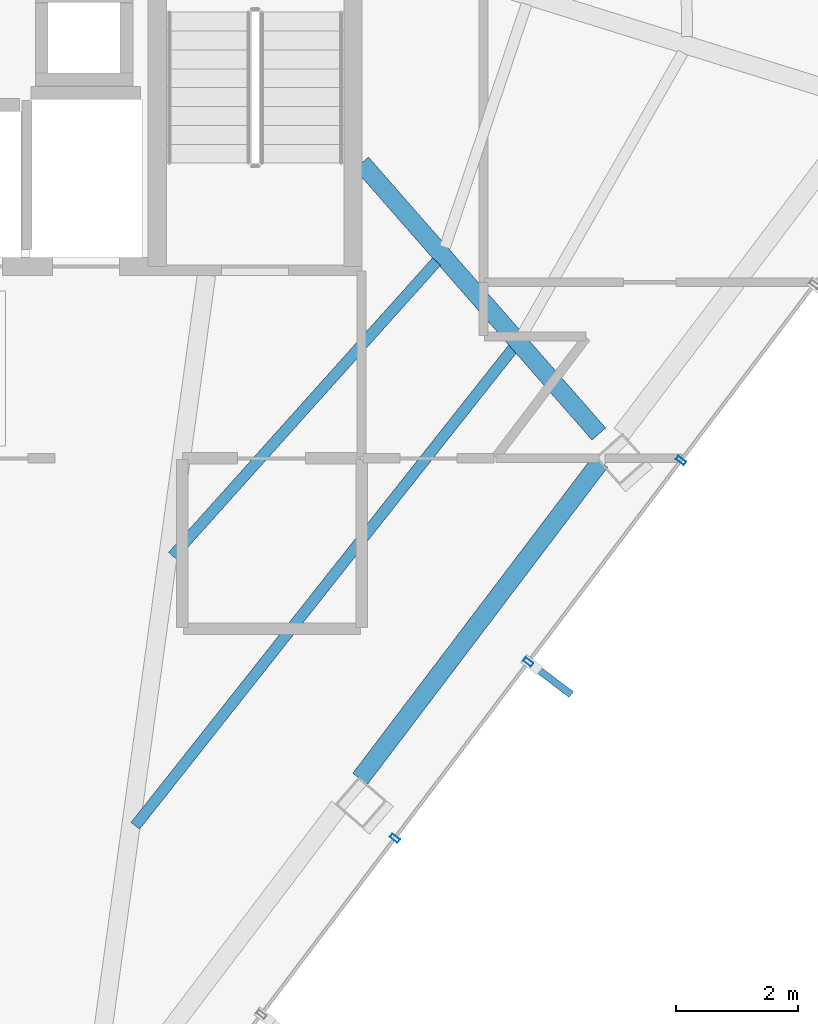
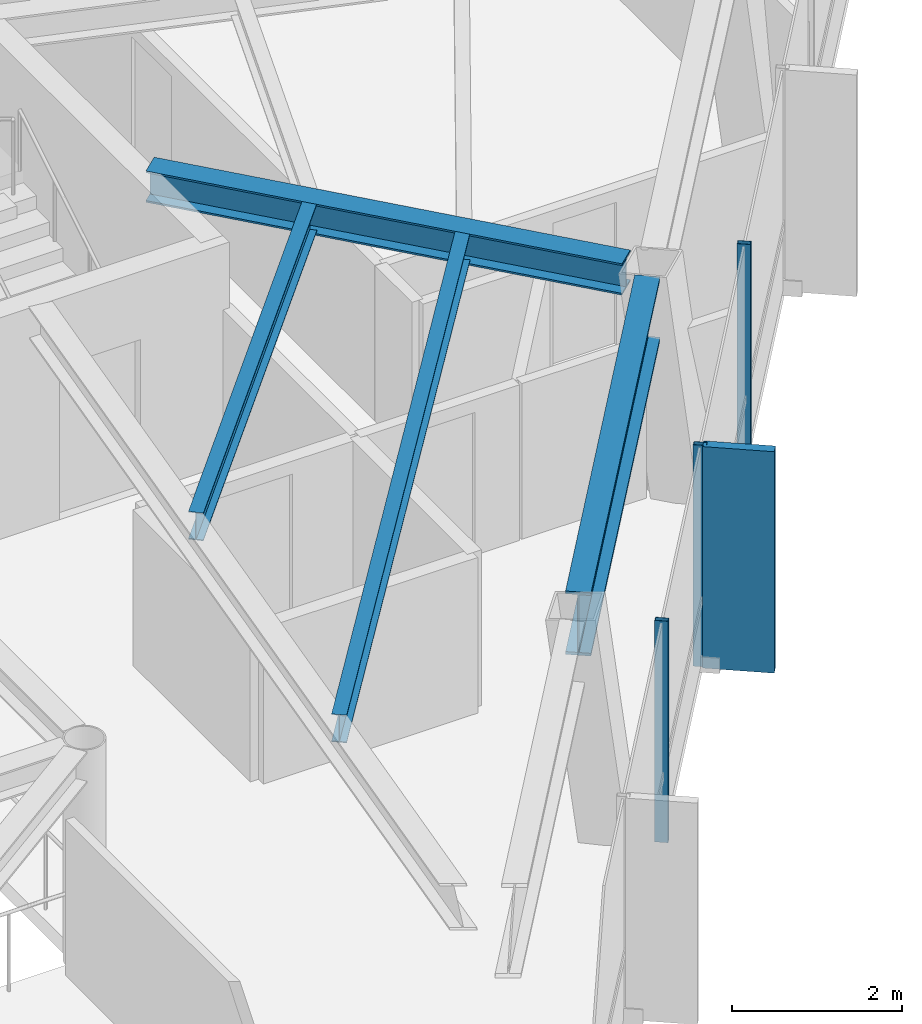
# One storey, part 17 of 27: 4 beams, 4 members, 1 element without a shape of its own.
"""IFC4 building model written with IfcOpenShell, lengths in metres."""

from ifc_helpers import new_model, si_unit, direction, frame, origin, origin_2d, place, context, subcontext, project, spatial, rectangle, hollow_rectangle, i_section, extrude, material, layer, layer_set, material_profile, profile_set, type_object, element, aggregate, save


model = new_model("IFC4")

# Units and contexts
model_context = context("Model", 3, precision=1e-05, world=origin(), true_north=direction((0.0, 1.0)))
body_context = subcontext(model_context, "Body", "Model", "MODEL_VIEW")
ifc_project = project(units=[si_unit("LENGTHUNIT", "METRE"), si_unit("AREAUNIT", "SQUARE_METRE"), si_unit("VOLUMEUNIT", "CUBIC_METRE"), si_unit("PLANEANGLEUNIT", "RADIAN"), si_unit("MASSUNIT", "GRAM", prefix="KILO")], contexts=[model_context])

# Site, building, storey
site_placement = place(None, origin())
site = spatial("IfcSite", under=ifc_project, at=site_placement, CompositionType="ELEMENT")
building_placement = place(site_placement, origin())
building = spatial("IfcBuilding", under=site, at=building_placement, Name="Zarrinselat Tower", CompositionType="ELEMENT")
storey_placement = place(building_placement, frame((0.0, 0.0, 225.760009765625)))
storey = spatial("IfcBuildingStorey", under=building, at=storey_placement, Name="L56", CompositionType="ELEMENT", Elevation=225.760009765625)

# Beams
ifc_material_1 = material(Name="Steel S355J2", Category="steel")
ifc_material_profile_1 = material_profile(ifc_material_1, i_section(OverallWidth=0.300048828125, OverallDepth=0.449951171875, WebThickness=0.013916015625, FlangeThickness=0.02587890625, at=origin_2d()), Name="HEB 450")
ifc_profile_set_1 = profile_set([ifc_material_profile_1], Name="Steel S355J2")
beam_type_1 = type_object("IfcBeamType", Name="BM-HEB450", PredefinedType="BEAM", material=ifc_profile_set_1)
beam_1_placement = place(storey_placement, frame((48.35009765625, 35.0, 2.955078125), z_axis=(0.658866826236, -0.752259599663, 0.0), x_axis=(0.752259599663, 0.658866826236, 0.0)))
element("IfcBeam", 1, at=beam_1_placement, inside=storey, type_object=beam_type_1, Name="L56 Radial Primary Girder RG13", PredefinedType="BEAM", context=body_context, shape_type="SweptSolid", body=[
    extrude(i_section(OverallWidth=0.300048828125, OverallDepth=0.449951171875, WebThickness=0.013916015625, FlangeThickness=0.02587890625, at=origin_2d()), origin(), (0.0, 0.0, 1.0), 5.915771484375),
])
ifc_material_2 = material(Name="Steel S460M", Category="steel")
ifc_material_profile_2 = material_profile(ifc_material_2, i_section(OverallWidth=0.302001953125, OverallDepth=0.909912109375, WebThickness=0.02099609375, FlangeThickness=0.0400390625, at=origin_2d()), Name="HEM 900")
ifc_profile_set_2 = profile_set([ifc_material_profile_2], Name="Steel S460M")
beam_type_2 = type_object("IfcBeamType", Name="BM-HEM900", PredefinedType="BEAM", material=ifc_profile_set_2)
beam_2_placement = place(storey_placement, frame((48.32568359375, 24.8828125, 2.72509765625), z_axis=(0.603871350868, 0.797081797308, 0.0), x_axis=(-0.797081797308, 0.603871350868, 0.0)))
element("IfcBeam", 2, at=beam_2_placement, inside=storey, type_object=beam_type_2, Name="L56 Perimeter Spandrel Girder SP12", PredefinedType="BEAM", context=body_context, shape_type="SweptSolid", body=[
    extrude(i_section(OverallWidth=0.302001953125, OverallDepth=0.909912109375, WebThickness=0.02099609375, FlangeThickness=0.0400390625, at=origin_2d()), origin(), (0.0, 0.0, 1.0), 6.53662109375),
])
ifc_material_3 = material(Name="Steel S355J2", Category="steel")
ifc_material_profile_3 = material_profile(ifc_material_3, i_section(OverallWidth=0.179931640625, OverallDepth=0.39990234375, WebThickness=0.008544921875, FlangeThickness=0.013427734375, at=origin_2d()), Name="IPE 400")
ifc_profile_set_3 = profile_set([ifc_material_profile_3], Name="Steel S355J2")
beam_type_3 = type_object("IfcBeamType", Name="BM-IPE400", PredefinedType="JOIST", material=ifc_profile_set_3)
beam_3_placement = place(storey_placement, frame((44.631591796875, 24.111083984375, 2.97998046875), z_axis=(0.620457764477, 0.784239862861, 0.0), x_axis=(-0.784239862861, 0.620457764477, 0.0)))
element("IfcBeam", 3, at=beam_3_placement, inside=storey, type_object=beam_type_3, Name="L56 Composite Floor Joist 3-1", PredefinedType="JOIST", context=body_context, shape_type="SweptSolid", body=[
    extrude(i_section(OverallWidth=0.179931640625, OverallDepth=0.39990234375, WebThickness=0.008544921875, FlangeThickness=0.013427734375, at=origin_2d()), origin(), (0.0, 0.0, 1.0), 9.999267578125),
])
beam_4_placement = place(storey_placement, frame((45.246826171875, 28.546142578125, 2.97998046875), z_axis=(0.667447281069, 0.744657053276, 0.0), x_axis=(-0.744657053276, 0.667447281069, 0.0)))
element("IfcBeam", 4, at=beam_4_placement, inside=storey, type_object=beam_type_3, Name="L56 Composite Floor Joist 3-2", PredefinedType="JOIST", context=body_context, shape_type="SweptSolid", body=[
    extrude(i_section(OverallWidth=0.179931640625, OverallDepth=0.39990234375, WebThickness=0.008544921875, FlangeThickness=0.013427734375, at=origin_2d()), origin(), (0.0, 0.0, 1.0), 6.494873046875),
])

# Curtain wall, members
ifc_material_4 = material(Name="Extruded Aluminium Alloy EN AW-6063 T6", Category="aluminium")
ifc_layer = layer(ifc_material_4, 0.169921875)
ifc_layer_set = layer_set([ifc_layer], Name="Extruded Aluminium Alloy EN AW-6063 T6")
curtain_wall_type = type_object("IfcCurtainWallType", Name="CWS-RES", PredefinedType="NOTDEFINED", material=ifc_layer_set)
curtain_wall_placement = place(storey_placement, origin())
curtain_wall = element("IfcCurtainWall", 5, at=curtain_wall_placement, inside=storey, type_object=curtain_wall_type, Name="L56 Unitised Curtain Wall CW-L56-E05", PredefinedType="NOTDEFINED")
ifc_material_5 = material(Name="Extruded Aluminium Alloy EN AW-6063 T6", Category="aluminium")
ifc_material_profile_4 = material_profile(ifc_material_5, hollow_rectangle(XDim=0.070068359375, YDim=0.159912109375, WallThickness=0.00390625, at=origin_2d()), Name="RHS 160x70x4")
ifc_profile_set_4 = profile_set([ifc_material_profile_4], Name="Extruded Aluminium Alloy EN AW-6063 T6")
member_type_1 = type_object("IfcMemberType", Name="MEM-CW-MUL2", PredefinedType="MULLION", material=ifc_profile_set_4)
member_1_placement = place(storey_placement, frame((48.896484375, 23.90673828125, 0.0), z_axis=(0.0, 0.0, 1.0), x_axis=(0.603859212041, 0.797090993572, 0.0)))
member_1 = element("IfcMember", 6, at=member_1_placement, type_object=member_type_1, Name="CW-L56-E05 Mullion 2", PredefinedType="MULLION", context=body_context, shape_type="SweptSolid", body=[
    extrude(hollow_rectangle(XDim=0.070068359375, YDim=0.159912109375, WallThickness=0.00390625, at=origin_2d()), origin(), (0.0, 0.0, 1.0), 3.179931640625),
])
member_2_placement = place(storey_placement, frame((51.08984375, 26.8017578125, 0.0), z_axis=(0.0, 0.0, 1.0), x_axis=(0.603859212041, 0.797090993572, 0.0)))
member_2 = element("IfcMember", 7, at=member_2_placement, type_object=member_type_1, Name="CW-L56-E05 Mullion 3", PredefinedType="MULLION", context=body_context, shape_type="SweptSolid", body=[
    extrude(hollow_rectangle(XDim=0.070068359375, YDim=0.159912109375, WallThickness=0.00390625, at=origin_2d()), origin(), (0.0, 0.0, 1.0), 3.179931640625),
])
member_3_placement = place(storey_placement, frame((53.598876953125, 30.11376953125, 0.0), z_axis=(0.0, 0.0, 1.0), x_axis=(0.603859212041, 0.797090993572, 0.0)))
member_3 = element("IfcMember", 8, at=member_3_placement, type_object=member_type_1, Name="CW-L56-E05 Mullion 4", PredefinedType="MULLION", context=body_context, shape_type="SweptSolid", body=[
    extrude(hollow_rectangle(XDim=0.070068359375, YDim=0.159912109375, WallThickness=0.00390625, at=origin_2d()), origin(), (0.0, 0.0, 1.0), 3.179931640625),
])
ifc_material_6 = material(Name="Honed Cream Travertine Stone", Category="masonry")
ifc_material_profile_5 = material_profile(ifc_material_6, rectangle(XDim=0.1201171875, YDim=0.85009765625, at=origin_2d()), Name="FIN 850x120")
ifc_profile_set_5 = profile_set([ifc_material_profile_5], Name="Honed Cream Travertine Stone")
member_type_2 = type_object("IfcMemberType", Name="MEM-STONE-FIN", PredefinedType="USERDEFINED", material=ifc_profile_set_5)
member_4_placement = place(storey_placement, frame((51.45654296875, 26.52392578125, 0.0), z_axis=(0.0, 0.0, 1.0), x_axis=(-0.603859212041, -0.797090993572, 0.0)))
member_4 = element("IfcMember", 9, at=member_4_placement, type_object=member_type_2, Name="L56 Stone Shading Fin CW-L56-E05-03", ObjectType="FIN", PredefinedType="USERDEFINED", context=body_context, shape_type="SweptSolid", body=[
    extrude(rectangle(XDim=0.1201171875, YDim=0.85009765625, at=origin_2d()), origin(), (0.0, 0.0, 1.0), 3.179931640625),
])
aggregate(curtain_wall, [member_1, member_2, member_4, member_3])

save(model, "model.ifc")
